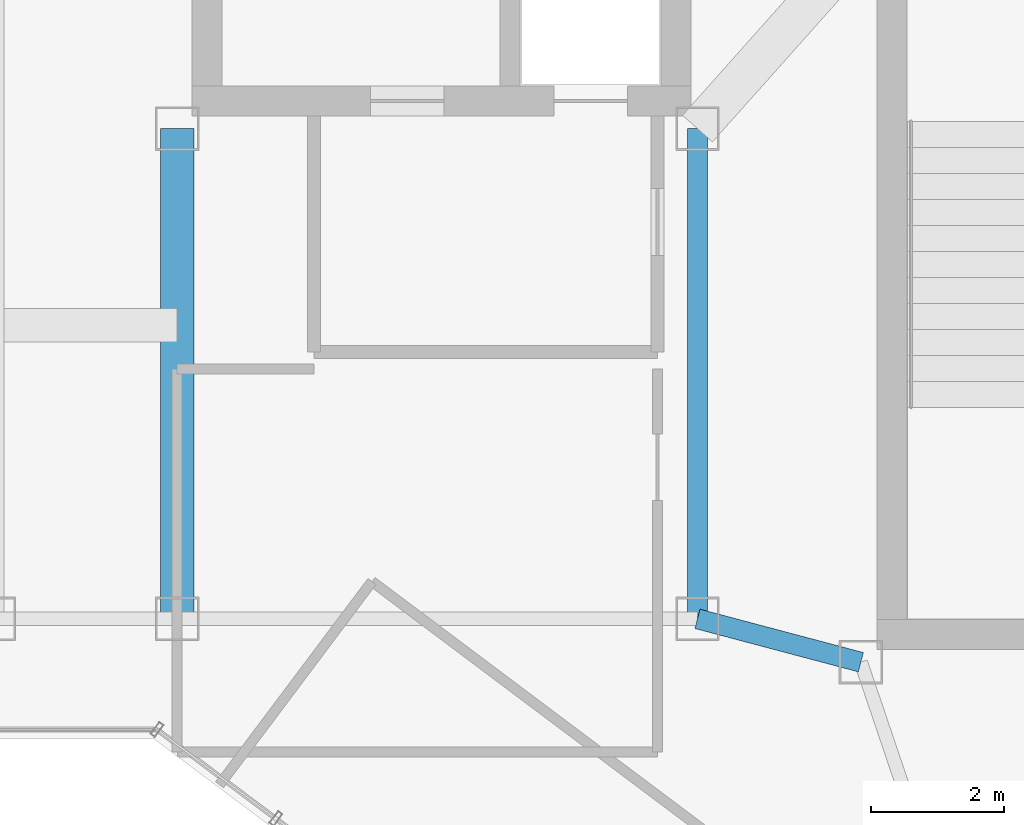
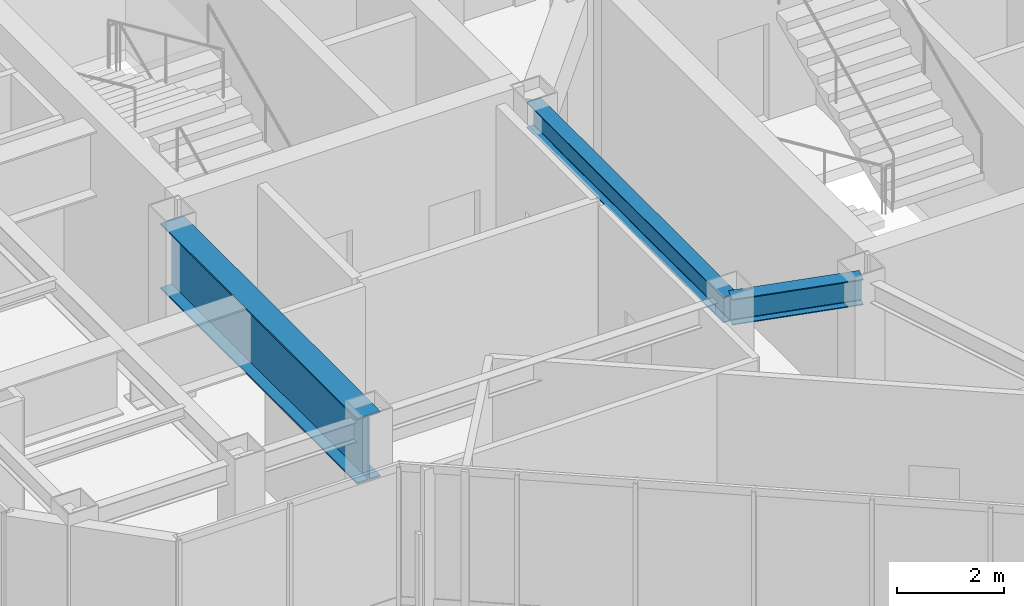
# One storey, part 4 of 22: 3 beams.
"""IFC4 building model written with IfcOpenShell, lengths in metres."""

import ifcopenshell
import ifcopenshell.guid

model = None  # the IFC model being written
_history = None  # IfcOwnerHistory: only IFC2X3 demands one
_inside = {}  # id of a spatial element -> (the spatial element, [elements in it])
_under = {}  # id of a project, library or spatial element -> (it, [spatial elements below it])
_declared = {}  # id of a project -> (the project, [libraries it declares])
_typed = {}  # id of a type object -> (the type object, [elements of that type])
_made_of = {}  # id of a material, layer set ... -> (it, [elements and type objects made of it])


def new_model(schema):
    """Start an empty IFC model of exactly this schema.

    Asked for "IFC4X3", IfcOpenShell would pick the latest addendum, in which some entities
    have other attributes; the version numbers below select the first issue.
    IFC2X3 requires an IfcOwnerHistory on every rooted entity: one is made here for all.
    """
    global model, _history
    if schema == "IFC4X3":
        model = ifcopenshell.file(schema_version=(4, 3, 0, 0))
    else:
        model = ifcopenshell.file(schema=schema)
    _inside.clear()
    _under.clear()
    _declared.clear()
    _typed.clear()
    _made_of.clear()
    _history = None
    if model.schema == "IFC2X3":
        org = make("IfcOrganization", Name="unknown")
        user = make(
            "IfcPersonAndOrganization",
            ThePerson=make("IfcPerson", FamilyName="unknown"),
            TheOrganization=org,
        )
        app = make(
            "IfcApplication",
            ApplicationDeveloper=org,
            Version="unknown",
            ApplicationFullName="unknown",
            ApplicationIdentifier="unknown",
        )
        _history = make(
            "IfcOwnerHistory",
            OwningUser=user,
            OwningApplication=app,
            ChangeAction="ADDED",
            CreationDate=0,
        )
    return model


def make(cls, **values):
    """One entity of the class cls with the attributes given. An attribute that is None is left unset."""
    return model.create_entity(
        cls, **{name: value for name, value in values.items() if value is not None}
    )


def rooted(cls, **values):
    """An entity with a GlobalId (a new one), such as an element, a storey or a relation."""
    return make(cls, GlobalId=ifcopenshell.guid.new(), OwnerHistory=_history, **values)


def si_unit(unit_type, name, prefix=None):
    """IfcSIUnit, for example si_unit("LENGTHUNIT", "METRE", prefix="MILLI")."""
    return make("IfcSIUnit", UnitType=unit_type, Prefix=prefix, Name=name)


def assignment(units):
    """IfcUnitAssignment: the units of a project."""
    return None if units is None else make("IfcUnitAssignment", Units=units)


def point(xyz):
    """IfcCartesianPoint."""
    return None if xyz is None else make("IfcCartesianPoint", Coordinates=xyz)


def direction(xyz):
    """IfcDirection."""
    return None if xyz is None else make("IfcDirection", DirectionRatios=xyz)


def frame(location, z_axis=None, x_axis=None):
    """IfcAxis2Placement3D, a coordinate frame: its origin and axes. An axis left out is left unset."""
    return make(
        "IfcAxis2Placement3D",
        Location=point(location),
        Axis=direction(z_axis),
        RefDirection=direction(x_axis),
    )


def frame_2d(location, x_axis=None):
    """IfcAxis2Placement2D, a coordinate frame in the plane: its origin and x axis."""
    return make(
        "IfcAxis2Placement2D", Location=point(location), RefDirection=direction(x_axis)
    )


def origin():
    """The frame at (0, 0, 0) with its axes left unset."""
    return frame((0.0, 0.0, 0.0))


def origin_2d():
    """The frame at (0, 0) in the plane with its x axis left unset."""
    return frame_2d((0.0, 0.0))


def place(relative_to, where):
    """IfcLocalPlacement: puts the frame where relative to a parent placement (None: the world)."""
    return make(
        "IfcLocalPlacement", PlacementRelTo=relative_to, RelativePlacement=where
    )


def context(
    kind, dimensions, precision=None, world=None, true_north=None, identifier=None
):
    """IfcGeometricRepresentationContext, for example the 3D "Model" context."""
    return make(
        "IfcGeometricRepresentationContext",
        ContextIdentifier=identifier,
        ContextType=kind,
        CoordinateSpaceDimension=dimensions,
        Precision=precision,
        WorldCoordinateSystem=world,
        TrueNorth=true_north,
    )


def subcontext(parent, identifier, kind, view, scale=None):
    """IfcGeometricRepresentationSubContext, for example "Body" below "Model"."""
    return make(
        "IfcGeometricRepresentationSubContext",
        ContextIdentifier=identifier,
        ContextType=kind,
        ParentContext=parent,
        TargetScale=scale,
        TargetView=view,
    )


def project(units=None, contexts=None):
    """IfcProject with its units and contexts."""
    return rooted(
        "IfcProject",
        Name="project",
        RepresentationContexts=contexts,
        UnitsInContext=assignment(units),
    )


def spatial(cls, under=None, at=None, **own):
    """A site, building, storey or space (cls), placed at a placement, below another one or the project."""
    s = rooted(cls, ObjectPlacement=at, **own)
    if under is not None:
        _under.setdefault(under.id(), (under, []))[1].append(s)
    return s


def profile(cls, at=None, kind="AREA", **sizes):
    """A parametric profile (cls). Its sizes go by their IFC names, for example OverallWidth=200.0."""
    return make(cls, ProfileType=kind, Position=at, **sizes)


def i_section(**sizes):
    """IfcIShapeProfileDef."""
    return profile("IfcIShapeProfileDef", **sizes)


def extrude(swept, where, along, depth):
    """IfcExtrudedAreaSolid: the profile swept, set in the frame where, extruded along a direction by depth."""
    return make(
        "IfcExtrudedAreaSolid",
        SweptArea=swept,
        Position=where,
        ExtrudedDirection=direction(along),
        Depth=depth,
    )


def shape(context_of_items, identifier, shape_type, items):
    """IfcShapeRepresentation: the items that make up one representation, for example the "Body"."""
    return make(
        "IfcShapeRepresentation",
        ContextOfItems=context_of_items,
        RepresentationIdentifier=identifier,
        RepresentationType=shape_type,
        Items=items,
    )


def material(Name=None, Category=None):
    """IfcMaterial."""
    return make("IfcMaterial", Name=Name, Category=Category)


def material_profile(
    of_material, cross_section, Name=None, Category=None, Priority=None
):
    """IfcMaterialProfile: a cross section and its material."""
    return make(
        "IfcMaterialProfile",
        Name=Name,
        Material=of_material,
        Profile=cross_section,
        Priority=Priority,
        Category=Category,
    )


def profile_set(profiles, Name=None, composite=None):
    """IfcMaterialProfileSet."""
    return make(
        "IfcMaterialProfileSet",
        Name=Name,
        MaterialProfiles=profiles,
        CompositeProfile=composite,
    )


def made_of(thing, what):
    """Note that an element or type object is made of a material, layer set ...; save() writes the relation."""
    if what is not None:
        _made_of.setdefault(what.id(), (what, []))[1].append(thing)
    return thing


def type_object(cls, material=None, **own):
    """A type object (cls), such as IfcWallType, which elements share."""
    return made_of(rooted(cls, **own), material)


def element(
    cls,
    number,
    at=None,
    inside=None,
    cuts=None,
    type_object=None,
    material=None,
    context=None,
    identifier="Body",
    shape_type=None,
    held_by="IfcProductDefinitionShape",
    body=None,
    shapes=None,
    **own,
):
    """One element of the class cls, such as IfcWall. Its Tag is "e" and its number.

    at: its placement. inside: the storey or other place that contains it. cuts: it is an
    opening in that element (IfcRelVoidsElement). A single representation is given by context,
    identifier, shape_type and body (its items); several are given by shapes. held_by: the class
    of the entity that holds the representations. save() writes the other relations.
    """
    e = rooted(cls, Tag="e%d" % number, ObjectPlacement=at, **own)
    if body is not None:
        shapes = [shape(context, identifier, shape_type, body)]
    if shapes is not None:
        e.Representation = make(held_by, Representations=shapes)
    if inside is not None:
        _inside.setdefault(inside.id(), (inside, []))[1].append(e)
    if cuts is not None:
        rooted(
            "IfcRelVoidsElement", RelatingBuildingElement=cuts, RelatedOpeningElement=e
        )
    if type_object is not None:
        _typed.setdefault(type_object.id(), (type_object, []))[1].append(e)
    return made_of(e, material)


def aggregate(whole, parts):
    """IfcRelAggregates: a whole, such as a stair, and the parts it consists of."""
    return rooted("IfcRelAggregates", RelatingObject=whole, RelatedObjects=parts)


def save(model, path):
    """Write the relations noted so far, then the file.

    IfcRelAggregates (storeys below a building ...), IfcRelContainedInSpatialStructure (elements
    in a storey), IfcRelDefinesByType, IfcRelAssociatesMaterial and IfcRelDeclares: one each for
    every whole, place, type object, material and project.
    """
    for whole, parts in _under.values():
        aggregate(whole, parts)
    for where, things in _inside.values():
        rooted(
            "IfcRelContainedInSpatialStructure",
            RelatedElements=things,
            RelatingStructure=where,
        )
    for kind, things in _typed.values():
        rooted("IfcRelDefinesByType", RelatedObjects=things, RelatingType=kind)
    for what, things in _made_of.values():
        rooted("IfcRelAssociatesMaterial", RelatedObjects=things, RelatingMaterial=what)
    for by, libraries in _declared.values():
        rooted("IfcRelDeclares", RelatingContext=by, RelatedDefinitions=libraries)
    model.write(path)


model = new_model("IFC4")

# Units and contexts
model_context = context("Model", 3, precision=1e-05, world=origin(), true_north=direction((0.0, 1.0)))
body_context = subcontext(model_context, "Body", "Model", "MODEL_VIEW")
ifc_project = project(units=[si_unit("LENGTHUNIT", "METRE"), si_unit("AREAUNIT", "SQUARE_METRE"), si_unit("VOLUMEUNIT", "CUBIC_METRE"), si_unit("PLANEANGLEUNIT", "RADIAN"), si_unit("MASSUNIT", "GRAM", prefix="KILO")], contexts=[model_context])

# Site, building, storey
site_placement = place(None, origin())
site = spatial("IfcSite", under=ifc_project, at=site_placement, CompositionType="ELEMENT")
building_placement = place(site_placement, origin())
building = spatial("IfcBuilding", under=site, at=building_placement, Name="Hatsunagi Terrace Concourse", CompositionType="ELEMENT")
storey_placement = place(building_placement, frame((0.0, 0.0, 261.75)))
storey = spatial("IfcBuildingStorey", under=building, at=storey_placement, Name="L69", CompositionType="ELEMENT", Elevation=261.75)

# Beams
ifc_material_1 = material(Name="Steel SN490B", Category="steel")
ifc_material_profile_1 = material_profile(ifc_material_1, i_section(OverallWidth=0.300048828125, OverallDepth=0.587890625, WebThickness=0.011962890625, FlangeThickness=0.02001953125, FilletRadius=0.01806640625, at=origin_2d()), Name="H-588x300x12x20")
ifc_profile_set_1 = profile_set([ifc_material_profile_1], Name="Steel SN490B")
beam_type_1 = type_object("IfcBeamType", Name="OfficeHighGirder_H_588x300", PredefinedType="BEAM", material=ifc_profile_set_1)
beam_1_placement = place(storey_placement, frame((33.35009765625, 25.199951171875, 3.656005859375), z_axis=(0.0, 1.0, 0.0), x_axis=(-1.0, 0.0, 0.0)))
element("IfcBeam", 1, at=beam_1_placement, inside=storey, type_object=beam_type_1, Name="Beam G-06 BM-L69-K2CA", PredefinedType="BEAM", context=body_context, shape_type="SweptSolid", body=[
    extrude(i_section(OverallWidth=0.300048828125, OverallDepth=0.587890625, WebThickness=0.011962890625, FlangeThickness=0.02001953125, FilletRadius=0.01806640625, at=origin_2d()), origin(), (0.0, 0.0, 1.0), 7.35009765625),
])
beam_2_placement = place(storey_placement, frame((33.35009765625, 25.199951171875, 3.656005859375), z_axis=(0.966569840116, -0.256403479262, 0.0), x_axis=(0.256403479262, 0.966569840116, 0.0)))
element("IfcBeam", 2, at=beam_2_placement, inside=storey, type_object=beam_type_1, Name="Beam G-06 BM-L69-K2CB", PredefinedType="BEAM", context=body_context, shape_type="SweptSolid", body=[
    extrude(i_section(OverallWidth=0.300048828125, OverallDepth=0.587890625, WebThickness=0.011962890625, FlangeThickness=0.02001953125, FilletRadius=0.01806640625, at=origin_2d()), origin(), (0.0, 0.0, 1.0), 2.53466796875),
])
ifc_material_2 = material(Name="Steel SN490C", Category="steel")
ifc_material_profile_2 = material_profile(ifc_material_2, i_section(OverallWidth=0.5, OverallDepth=1.5, WebThickness=0.028076171875, FlangeThickness=0.0380859375, at=origin_2d()), Name="BH-1500x500x28x38")
ifc_profile_set_2 = profile_set([ifc_material_profile_2], Name="Steel SN490C")
beam_type_2 = type_object("IfcBeamType", Name="SkyLoungeTrussGirder_BH_1500x500x28x38", PredefinedType="USERDEFINED", material=ifc_profile_set_2)
beam_3_placement = place(storey_placement, frame((25.550048828125, 25.199951171875, 3.199951171875), z_axis=(0.0, 1.0, 0.0), x_axis=(-1.0, 0.0, 0.0)))
element("IfcBeam", 3, at=beam_3_placement, inside=storey, type_object=beam_type_2, Name="Transfer girder SLT-01 BM-L69-K1CA", ObjectType="TRANSFER_GIRDER", PredefinedType="USERDEFINED", context=body_context, shape_type="SweptSolid", body=[
    extrude(i_section(OverallWidth=0.5, OverallDepth=1.5, WebThickness=0.028076171875, FlangeThickness=0.0380859375, at=origin_2d()), origin(), (0.0, 0.0, 1.0), 7.35009765625),
])

save(model, "model.ifc")
